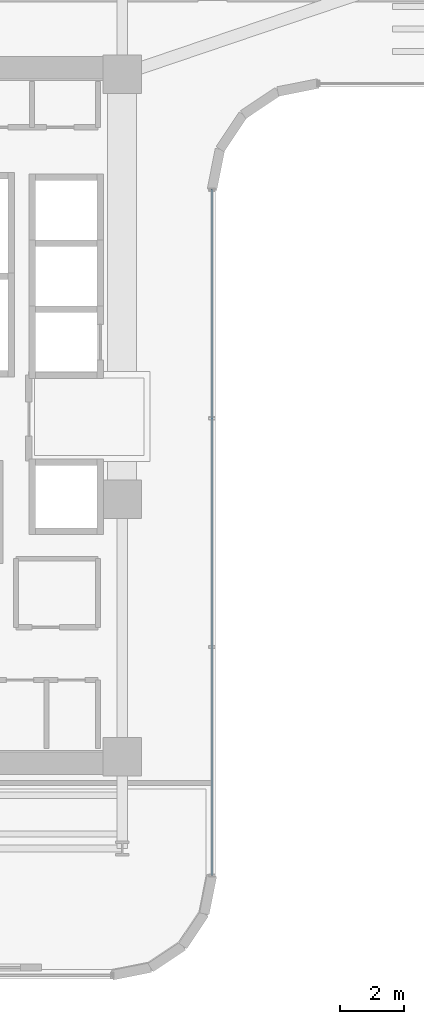
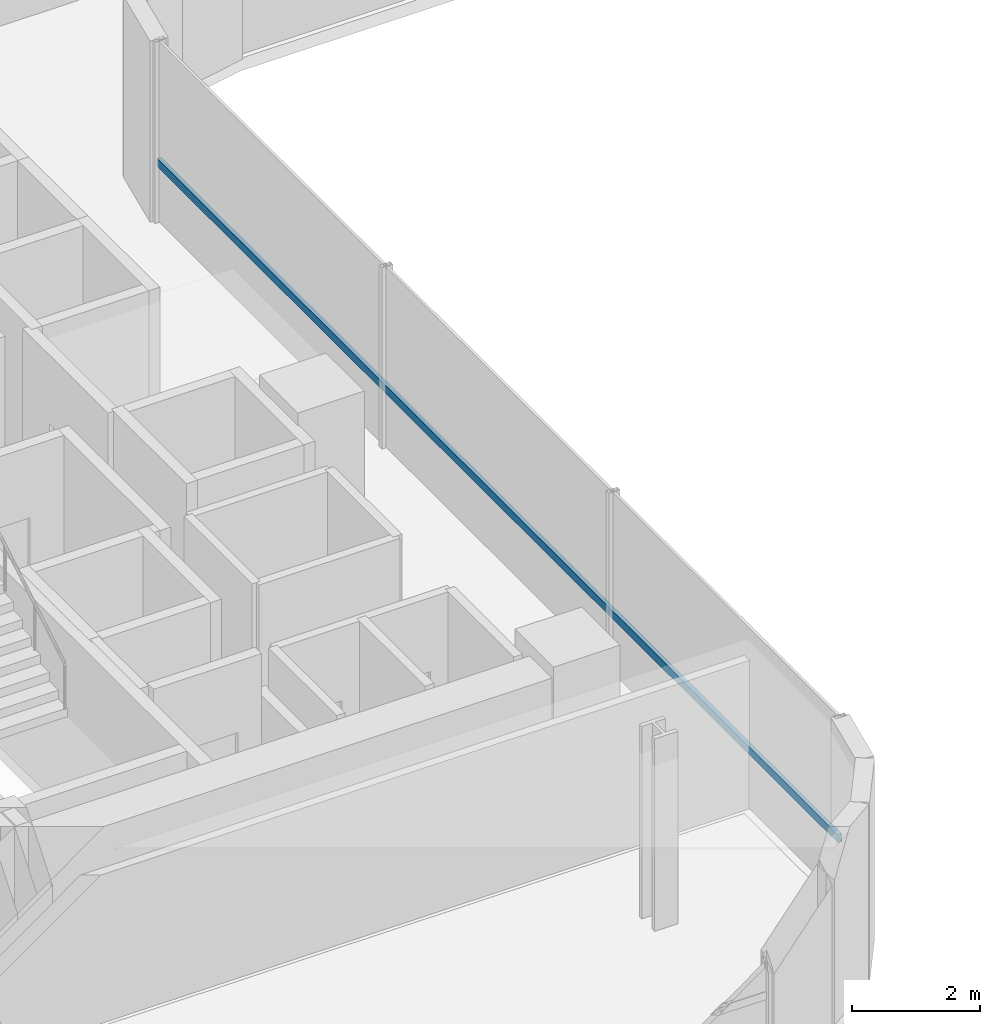
# One storey, part 6 of 34: 1 member, 1 element without a shape of its own.
"""IFC4 building model written with IfcOpenShell, lengths in metres."""

from ifc_helpers import new_model, si_unit, direction, frame, origin, origin_2d, place, context, subcontext, project, spatial, hollow_rectangle, extrude, source, transform, mapped, material, material_profile, profile_set, type_object, element, aggregate, save


model = new_model("IFC4")

# Units and contexts
model_context = context("Model", 3, precision=1e-05, world=origin(), true_north=direction((0.0, 1.0)))
body_context = subcontext(model_context, "Body", "Model", "MODEL_VIEW")
ifc_project = project(units=[si_unit("LENGTHUNIT", "METRE"), si_unit("AREAUNIT", "SQUARE_METRE"), si_unit("VOLUMEUNIT", "CUBIC_METRE"), si_unit("PLANEANGLEUNIT", "RADIAN"), si_unit("MASSUNIT", "GRAM", prefix="KILO")], contexts=[model_context])

# Site, building, storey
site_placement = place(None, origin())
site = spatial("IfcSite", under=ifc_project, at=site_placement, CompositionType="ELEMENT")
building_placement = place(site_placement, origin())
building = spatial("IfcBuilding", under=site, at=building_placement, Name="Valdorenza Pilgrim Sanctuary Tower", CompositionType="ELEMENT")
storey_placement = place(building_placement, frame((0.0, 0.0, 146.39990234375)))
storey = spatial("IfcBuildingStorey", under=building, at=storey_placement, Name="L37", CompositionType="ELEMENT", Elevation=146.39990234375)

# Curtain wall, member
ifc_material_1 = material(Name="Curtain-wall IGU glazing", Category="glass")
curtain_wall_type = type_object("IfcCurtainWallType", Name="CW-SYS-02", PredefinedType="NOTDEFINED", material=ifc_material_1)
curtain_wall_placement = place(storey_placement, origin())
curtain_wall = element("IfcCurtainWall", 1, at=curtain_wall_placement, inside=storey, type_object=curtain_wall_type, Name="L37 Curtain Wall CW-L37-1-41", PredefinedType="NOTDEFINED")
ifc_material_2 = material(Name="Anodised aluminium AW-6060", Category="aluminium")
ifc_material_profile = material_profile(ifc_material_2, hollow_rectangle(XDim=0.074951171875, YDim=0.14990234375, WallThickness=0.00390625, at=origin_2d()), Name="ALU-T 150x75x4")
ifc_profile_set = profile_set([ifc_material_profile], Name="Anodised aluminium AW-6060")
member_type = type_object("IfcMemberType", Name="CW-TRN-02", PredefinedType="USERDEFINED", material=ifc_profile_set)
shared_shape = source(origin(), body_context, "Body", "SweptSolid", [
    extrude(hollow_rectangle(XDim=0.074951171875, YDim=0.14990234375, WallThickness=0.00390625, at=origin_2d()), origin(), (0.0, 0.0, 1.0), 21.300048828125),
])
member_placement = place(storey_placement, frame((-9.610107421875, 7.0107421875, 1.1201171875), z_axis=(0.0, -1.0, 0.0), x_axis=(1.0, 0.0, 0.0)))
member = element("IfcMember", 2, at=member_placement, type_object=member_type, Name="CW-L37-1-41 Transom 1", ObjectType="TRANSOM", PredefinedType="USERDEFINED", context=body_context, shape_type="MappedRepresentation", body=[
    mapped(shared_shape, transform((0.0, 0.0, 0.0), x_axis=(1.0, 0.0, 0.0), y_axis=(0.0, 1.0, 0.0), z_axis=(0.0, 0.0, 1.0), scale=1.0)),
])
aggregate(curtain_wall, [member])

save(model, "model.ifc")
